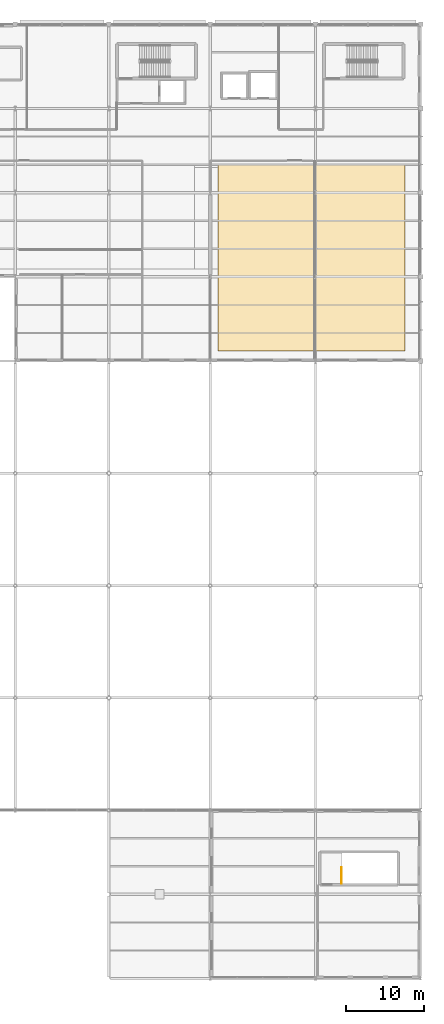
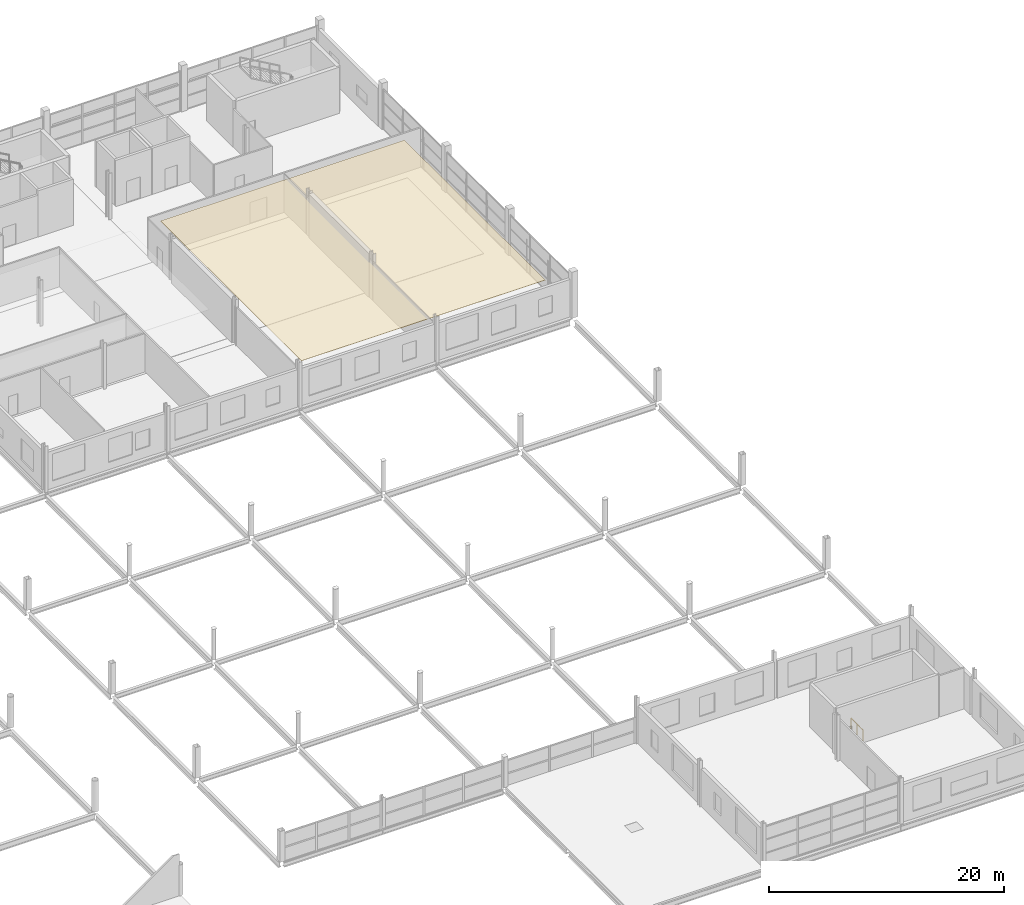
# One storey, part 131 of 134: 1 covering, 1 railing.
"""IFC4 building model written with IfcOpenShell, lengths in metres."""

from ifc_helpers import new_model, si_unit, direction, frame, origin, origin_2d, place, context, subcontext, project, spatial, polyline, circle, outline, extrude, material, layer, layer_set, type_object, element, save


model = new_model("IFC4")

# Units and contexts
model_context = context("Model", 3, precision=1e-05, world=origin(), true_north=direction((0.0, 1.0)))
body_context = subcontext(model_context, "Body", "Model", "MODEL_VIEW")
ifc_project = project(units=[si_unit("LENGTHUNIT", "METRE"), si_unit("AREAUNIT", "SQUARE_METRE"), si_unit("VOLUMEUNIT", "CUBIC_METRE"), si_unit("PLANEANGLEUNIT", "RADIAN"), si_unit("MASSUNIT", "GRAM", prefix="KILO")], contexts=[model_context])

# Site, building, storey
site_placement = place(None, origin())
site = spatial("IfcSite", under=ifc_project, at=site_placement, CompositionType="ELEMENT")
building_placement = place(site_placement, origin())
building = spatial("IfcBuilding", under=site, at=building_placement, Name="Tamarisk Ironworks Central Station", CompositionType="ELEMENT")
storey_placement = place(building_placement, frame((0.0, 0.0, 12.60009765625)))
storey = spatial("IfcBuildingStorey", under=building, at=storey_placement, Name="L02", CompositionType="ELEMENT", Elevation=12.60009765625)

# Covering
ifc_material_1 = material(Name="Gypsum plasterboard acoustic partition")
ifc_layer = layer(ifc_material_1, 0.0400390625)
ifc_layer_set = layer_set([ifc_layer], Name="Gypsum plasterboard acoustic partition")
covering_type = type_object("IfcCoveringType", Name="COV-CEIL-AC", PredefinedType="CEILING", material=ifc_layer_set)
covering_placement = place(storey_placement, frame((0.0, 0.0, 3.599853515625)))
element("IfcCovering", 1, at=covering_placement, inside=storey, type_object=covering_type, Name="L02 suspended acoustic baffle ceiling 007", PredefinedType="CEILING", context=body_context, shape_type="SweptSolid", body=[
    extrude(outline(polyline([(154.0, 80.5), (178.0, 80.5), (178.0, 104.5), (154.0, 104.5), (154.0, 80.5)])), origin(), (0.0, 0.0, 1.0), 0.0400390625),
])

# Railing
ifc_material_2 = material(Name="Brushed stainless steel AISI 316", Category="steel")
railing_type = type_object("IfcRailingType", Name="RL-GUARD-INT", PredefinedType="BALUSTRADE", material=ifc_material_2)
railing_placement = place(storey_placement, frame((169.85009765625, 12.199951171875, 0.0)))
element("IfcRailing", 2, at=railing_placement, inside=storey, type_object=railing_type, Name="L02 ST-C7 top well guard 1", PredefinedType="BALUSTRADE", context=body_context, shape_type="SweptSolid", body=[
    extrude(circle(Radius=0.02392578125, at=origin_2d()), frame((0.0, 0.0, 1.076171875), z_axis=(0.0, 1.0, 0.0), x_axis=(-1.0, 0.0, 0.0)), (0.0, 0.0, 1.0), 2.050048828125),
    extrude(circle(Radius=0.02099609375, at=origin_2d()), origin(), (0.0, 0.0, 1.0), 1.052001953125),
    extrude(circle(Radius=0.02099609375, at=origin_2d()), frame((0.0, 1.02490234375, 0.0)), (0.0, 0.0, 1.0), 1.052001953125),
    extrude(circle(Radius=0.02099609375, at=origin_2d()), frame((0.0, 2.050048828125, 0.0)), (0.0, 0.0, 1.0), 1.052001953125),
])

save(model, "model.ifc")
